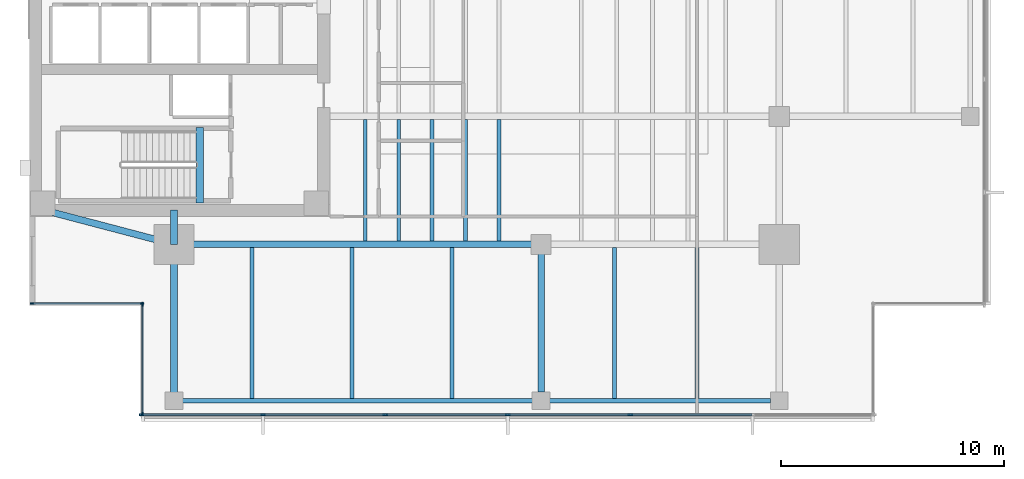
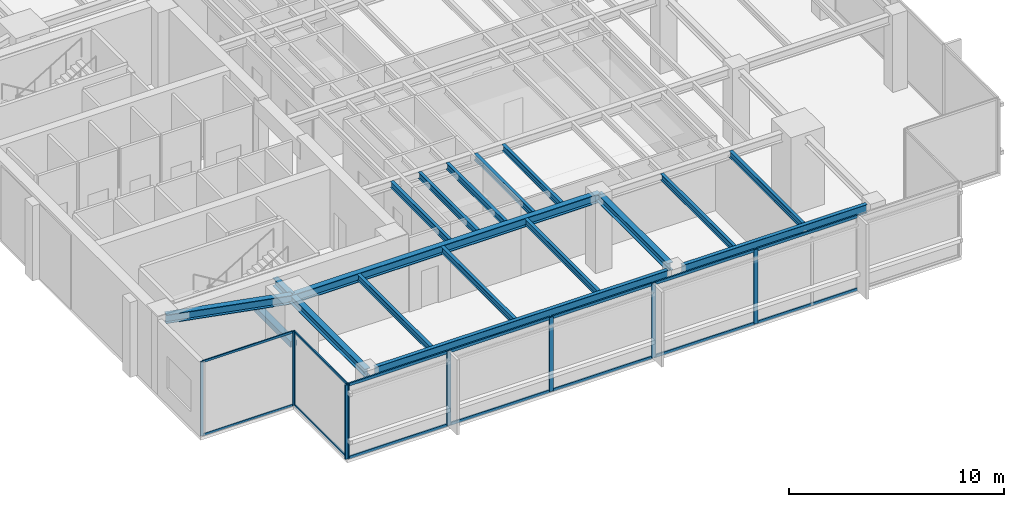
# One storey, part 2 of 14: 23 members, 18 beams, 3 elements without a shape of their own.
"""IFC4 building model written with IfcOpenShell, lengths in metres."""

from ifc_helpers import new_model, si_unit, direction, frame, origin, origin_2d, place, context, subcontext, project, spatial, rectangle, i_section, extrude, material, layer, layer_set, material_profile, profile_set, type_object, element, aggregate, save


model = new_model("IFC4")

# Units and contexts
model_context = context("Model", 3, precision=1e-05, world=origin(), true_north=direction((0.0, 1.0)))
body_context = subcontext(model_context, "Body", "Model", "MODEL_VIEW")
ifc_project = project(units=[si_unit("LENGTHUNIT", "METRE"), si_unit("AREAUNIT", "SQUARE_METRE"), si_unit("VOLUMEUNIT", "CUBIC_METRE"), si_unit("PLANEANGLEUNIT", "RADIAN"), si_unit("MASSUNIT", "GRAM", prefix="KILO")], contexts=[model_context])

# Site, building, storey
site_placement = place(None, origin())
site = spatial("IfcSite", under=ifc_project, at=site_placement, CompositionType="ELEMENT")
building_placement = place(site_placement, origin())
building = spatial("IfcBuilding", under=site, at=building_placement, Name="Kinhvarn Gate Tower", CompositionType="ELEMENT")
storey_placement = place(building_placement, frame((0.0, 0.0, 183.64990234375)))
storey = spatial("IfcBuildingStorey", under=building, at=storey_placement, Name="L48", CompositionType="ELEMENT", Elevation=183.64990234375)

# Beam
ifc_material_1 = material(Name="Concrete C50/60", Category="concrete")
ifc_material_profile_1 = material_profile(ifc_material_1, rectangle(XDim=0.340087890625, YDim=0.320068359375, at=origin_2d()), Name="RC 340x320")
ifc_profile_set_1 = profile_set([ifc_material_profile_1], Name="Concrete C50/60")
beam_type_1 = type_object("IfcBeamType", Name="BM-LND-500", PredefinedType="BEAM", material=ifc_profile_set_1)
beam_1_placement = place(storey_placement, frame((12.1650390625, 14.60009765625, -0.159912109375), z_axis=(0.0, 1.0, 0.0), x_axis=(-1.0, 0.0, 0.0)))
element("IfcBeam", 1, at=beam_1_placement, inside=storey, type_object=beam_type_1, Name="Stair ST1 Landing Nosing Beam (L48)", PredefinedType="BEAM", context=body_context, shape_type="SweptSolid", body=[
    extrude(rectangle(XDim=0.340087890625, YDim=0.320068359375, at=origin_2d()), origin(), (0.0, 0.0, 1.0), 3.39990234375),
])

# Curtain wall, members
ifc_material_2 = material(Name="Anodised aluminium AW-6063", Category="aluminium")
ifc_layer_1 = layer(ifc_material_2, 0.179931640625)
ifc_layer_set_1 = layer_set([ifc_layer_1], Name="Anodised aluminium AW-6063")
curtain_wall_type_1 = type_object("IfcCurtainWallType", Name="CW-SYS-4", PredefinedType="NOTDEFINED", material=ifc_layer_set_1)
curtain_wall_1_placement = place(storey_placement, origin())
curtain_wall_1 = element("IfcCurtainWall", 2, at=curtain_wall_1_placement, inside=storey, type_object=curtain_wall_type_1, Name="Curtain Wall CW4 (L48)", PredefinedType="NOTDEFINED")
ifc_material_profile_2 = material_profile(ifc_material_2, rectangle(XDim=0.06494140625, YDim=0.159912109375, at=origin_2d()), Name="ALU 65x160")
ifc_profile_set_2 = profile_set([ifc_material_profile_2], Name="Anodised aluminium AW-6063")
member_type_1 = type_object("IfcMemberType", Name="CW-MUL-160", PredefinedType="MULLION", material=ifc_profile_set_2)
member_1_placement = place(storey_placement, frame((4.62255859375, 10.090087890625, 0.0), z_axis=(0.0, 0.0, 1.0), x_axis=(0.0, 1.0, 0.0)))
member_1 = element("IfcMember", 3, at=member_1_placement, type_object=member_type_1, Name="CW4 mullion 1", PredefinedType="MULLION", context=body_context, shape_type="SweptSolid", body=[
    extrude(rectangle(XDim=0.06494140625, YDim=0.159912109375, at=origin_2d()), origin(), (0.0, 0.0, 1.0), 4.22021484375),
])
member_2_placement = place(storey_placement, frame((9.5576171875, 10.090087890625, 0.0), z_axis=(0.0, 0.0, 1.0), x_axis=(0.0, 1.0, 0.0)))
member_2 = element("IfcMember", 4, at=member_2_placement, type_object=member_type_1, Name="CW4 mullion 2", PredefinedType="MULLION", context=body_context, shape_type="SweptSolid", body=[
    extrude(rectangle(XDim=0.06494140625, YDim=0.159912109375, at=origin_2d()), origin(), (0.0, 0.0, 1.0), 4.22021484375),
])

curtain_wall_2_placement = place(storey_placement, origin())
curtain_wall_2 = element("IfcCurtainWall", 5, at=curtain_wall_2_placement, inside=storey, type_object=curtain_wall_type_1, Name="Curtain Wall CW4 (L48)", PredefinedType="NOTDEFINED")
member_3_placement = place(storey_placement, frame((9.590087890625, 10.0576171875, 0.0), z_axis=(0.0, 0.0, 1.0), x_axis=(1.0, 0.0, 0.0)))
member_3 = element("IfcMember", 6, at=member_3_placement, type_object=member_type_1, Name="CW4 mullion 1", PredefinedType="MULLION", context=body_context, shape_type="SweptSolid", body=[
    extrude(rectangle(XDim=0.06494140625, YDim=0.159912109375, at=origin_2d()), origin(), (0.0, 0.0, 1.0), 4.22021484375),
])
member_4_placement = place(storey_placement, frame((9.590087890625, 5.12255859375, 0.0), z_axis=(0.0, 0.0, 1.0), x_axis=(1.0, 0.0, 0.0)))
member_4 = element("IfcMember", 7, at=member_4_placement, type_object=member_type_1, Name="CW4 mullion 2", PredefinedType="MULLION", context=body_context, shape_type="SweptSolid", body=[
    extrude(rectangle(XDim=0.06494140625, YDim=0.159912109375, at=origin_2d()), origin(), (0.0, 0.0, 1.0), 4.22021484375),
])

ifc_layer_2 = layer(ifc_material_2, 0.219970703125)
ifc_layer_set_2 = layer_set([ifc_layer_2], Name="Anodised aluminium AW-6063")
curtain_wall_type_2 = type_object("IfcCurtainWallType", Name="CW-SYS-5", PredefinedType="NOTDEFINED", material=ifc_layer_set_2)
curtain_wall_3_placement = place(storey_placement, origin())
curtain_wall_3 = element("IfcCurtainWall", 8, at=curtain_wall_3_placement, inside=storey, type_object=curtain_wall_type_2, Name="Curtain Wall CW5 (L48)", PredefinedType="NOTDEFINED")
ifc_material_profile_3 = material_profile(ifc_material_2, rectangle(XDim=0.080078125, YDim=0.219970703125, at=origin_2d()), Name="ALU 80x220")
ifc_profile_set_3 = profile_set([ifc_material_profile_3], Name="Anodised aluminium AW-6063")
member_type_2 = type_object("IfcMemberType", Name="CW-MUL-220", PredefinedType="MULLION", material=ifc_profile_set_3)
member_5_placement = place(storey_placement, frame((9.5400390625, 5.090087890625, 0.0), z_axis=(0.0, 0.0, 1.0), x_axis=(0.0, 1.0, 0.0)))
member_5 = element("IfcMember", 9, at=member_5_placement, type_object=member_type_2, Name="CW5 mullion 1", PredefinedType="MULLION", context=body_context, shape_type="SweptSolid", body=[
    extrude(rectangle(XDim=0.080078125, YDim=0.219970703125, at=origin_2d()), origin(), (0.0, 0.0, 1.0), 4.22021484375),
])
member_6_placement = place(storey_placement, frame((15.0, 5.090087890625, 0.0), z_axis=(0.0, 0.0, 1.0), x_axis=(0.0, 1.0, 0.0)))
member_6 = element("IfcMember", 10, at=member_6_placement, type_object=member_type_2, Name="CW5 mullion 2", PredefinedType="MULLION", context=body_context, shape_type="SweptSolid", body=[
    extrude(rectangle(XDim=0.080078125, YDim=0.219970703125, at=origin_2d()), origin(), (0.0, 0.0, 1.0), 4.22021484375),
])
member_7_placement = place(storey_placement, frame((20.5, 5.090087890625, 0.0), z_axis=(0.0, 0.0, 1.0), x_axis=(0.0, 1.0, 0.0)))
member_7 = element("IfcMember", 11, at=member_7_placement, type_object=member_type_2, Name="CW5 mullion 3", PredefinedType="MULLION", context=body_context, shape_type="SweptSolid", body=[
    extrude(rectangle(XDim=0.080078125, YDim=0.219970703125, at=origin_2d()), origin(), (0.0, 0.0, 1.0), 4.22021484375),
])
member_8_placement = place(storey_placement, frame((26.0, 5.090087890625, 0.0), z_axis=(0.0, 0.0, 1.0), x_axis=(0.0, 1.0, 0.0)))
member_8 = element("IfcMember", 12, at=member_8_placement, type_object=member_type_2, Name="CW5 mullion 4", PredefinedType="MULLION", context=body_context, shape_type="SweptSolid", body=[
    extrude(rectangle(XDim=0.080078125, YDim=0.219970703125, at=origin_2d()), origin(), (0.0, 0.0, 1.0), 4.22021484375),
])
member_9_placement = place(storey_placement, frame((31.5, 5.090087890625, 0.0), z_axis=(0.0, 0.0, 1.0), x_axis=(0.0, 1.0, 0.0)))
member_9 = element("IfcMember", 13, at=member_9_placement, type_object=member_type_2, Name="CW5 mullion 5", PredefinedType="MULLION", context=body_context, shape_type="SweptSolid", body=[
    extrude(rectangle(XDim=0.080078125, YDim=0.219970703125, at=origin_2d()), origin(), (0.0, 0.0, 1.0), 4.22021484375),
])

# Member
ifc_material_profile_4 = material_profile(ifc_material_2, rectangle(XDim=0.06494140625, YDim=0.1201171875, at=origin_2d()), Name="ALU 65x120")
ifc_profile_set_4 = profile_set([ifc_material_profile_4], Name="Anodised aluminium AW-6063")
member_type_3 = type_object("IfcMemberType", Name="CW-TRN-120", PredefinedType="USERDEFINED", material=ifc_profile_set_4)
member_10_placement = place(storey_placement, frame((4.655029296875, 10.090087890625, 0.03271484375), z_axis=(1.0, 0.0, 0.0), x_axis=(0.0, 1.0, 0.0)))
member_10 = element("IfcMember", 14, at=member_10_placement, type_object=member_type_3, Name="CW4 transom 1.1", ObjectType="TRANSOM", PredefinedType="USERDEFINED", context=body_context, shape_type="SweptSolid", body=[
    extrude(rectangle(XDim=0.06494140625, YDim=0.1201171875, at=origin_2d()), origin(), (0.0, 0.0, 1.0), 4.869873046875),
])

member_11_placement = place(storey_placement, frame((4.655029296875, 10.090087890625, 4.1875), z_axis=(1.0, 0.0, 0.0), x_axis=(0.0, 1.0, 0.0)))
member_11 = element("IfcMember", 15, at=member_11_placement, type_object=member_type_3, Name="CW4 transom 1.2", ObjectType="TRANSOM", PredefinedType="USERDEFINED", context=body_context, shape_type="SweptSolid", body=[
    extrude(rectangle(XDim=0.06494140625, YDim=0.1201171875, at=origin_2d()), origin(), (0.0, 0.0, 1.0), 4.869873046875),
])

aggregate(curtain_wall_1, [member_1, member_2, member_10, member_11])

member_12_placement = place(storey_placement, frame((9.590087890625, 10.02490234375, 0.03271484375), z_axis=(0.0, -1.0, 0.0), x_axis=(1.0, 0.0, 0.0)))
member_12 = element("IfcMember", 16, at=member_12_placement, type_object=member_type_3, Name="CW4 transom 1.1", ObjectType="TRANSOM", PredefinedType="USERDEFINED", context=body_context, shape_type="SweptSolid", body=[
    extrude(rectangle(XDim=0.06494140625, YDim=0.1201171875, at=origin_2d()), origin(), (0.0, 0.0, 1.0), 4.869873046875),
])

member_13_placement = place(storey_placement, frame((9.590087890625, 10.02490234375, 4.1875), z_axis=(0.0, -1.0, 0.0), x_axis=(1.0, 0.0, 0.0)))
member_13 = element("IfcMember", 17, at=member_13_placement, type_object=member_type_3, Name="CW4 transom 1.2", ObjectType="TRANSOM", PredefinedType="USERDEFINED", context=body_context, shape_type="SweptSolid", body=[
    extrude(rectangle(XDim=0.06494140625, YDim=0.1201171875, at=origin_2d()), origin(), (0.0, 0.0, 1.0), 4.869873046875),
])

aggregate(curtain_wall_2, [member_3, member_4, member_12, member_13])

ifc_material_profile_5 = material_profile(ifc_material_2, rectangle(XDim=0.080078125, YDim=0.159912109375, at=origin_2d()), Name="ALU 80x160")
ifc_profile_set_5 = profile_set([ifc_material_profile_5], Name="Anodised aluminium AW-6063")
member_type_4 = type_object("IfcMemberType", Name="CW-TRN-160", PredefinedType="USERDEFINED", material=ifc_profile_set_5)
member_14_placement = place(storey_placement, frame((9.580078125, 5.090087890625, 0.0400390625), z_axis=(1.0, 0.0, 0.0), x_axis=(0.0, 1.0, 0.0)))
member_14 = element("IfcMember", 18, at=member_14_placement, type_object=member_type_4, Name="CW5 transom 1.1", ObjectType="TRANSOM", PredefinedType="USERDEFINED", context=body_context, shape_type="SweptSolid", body=[
    extrude(rectangle(XDim=0.080078125, YDim=0.159912109375, at=origin_2d()), origin(), (0.0, 0.0, 1.0), 5.3798828125),
])

member_15_placement = place(storey_placement, frame((9.580078125, 5.090087890625, 4.18017578125), z_axis=(1.0, 0.0, 0.0), x_axis=(0.0, 1.0, 0.0)))
member_15 = element("IfcMember", 19, at=member_15_placement, type_object=member_type_4, Name="CW5 transom 1.2", ObjectType="TRANSOM", PredefinedType="USERDEFINED", context=body_context, shape_type="SweptSolid", body=[
    extrude(rectangle(XDim=0.080078125, YDim=0.159912109375, at=origin_2d()), origin(), (0.0, 0.0, 1.0), 5.3798828125),
])

member_16_placement = place(storey_placement, frame((15.0400390625, 5.090087890625, 0.0400390625), z_axis=(1.0, 0.0, 0.0), x_axis=(0.0, 1.0, 0.0)))
member_16 = element("IfcMember", 20, at=member_16_placement, type_object=member_type_4, Name="CW5 transom 2.1", ObjectType="TRANSOM", PredefinedType="USERDEFINED", context=body_context, shape_type="SweptSolid", body=[
    extrude(rectangle(XDim=0.080078125, YDim=0.159912109375, at=origin_2d()), origin(), (0.0, 0.0, 1.0), 5.419921875),
])

member_17_placement = place(storey_placement, frame((15.0400390625, 5.090087890625, 4.18017578125), z_axis=(1.0, 0.0, 0.0), x_axis=(0.0, 1.0, 0.0)))
member_17 = element("IfcMember", 21, at=member_17_placement, type_object=member_type_4, Name="CW5 transom 2.2", ObjectType="TRANSOM", PredefinedType="USERDEFINED", context=body_context, shape_type="SweptSolid", body=[
    extrude(rectangle(XDim=0.080078125, YDim=0.159912109375, at=origin_2d()), origin(), (0.0, 0.0, 1.0), 5.419921875),
])

member_18_placement = place(storey_placement, frame((20.5400390625, 5.090087890625, 0.0400390625), z_axis=(1.0, 0.0, 0.0), x_axis=(0.0, 1.0, 0.0)))
member_18 = element("IfcMember", 22, at=member_18_placement, type_object=member_type_4, Name="CW5 transom 3.1", ObjectType="TRANSOM", PredefinedType="USERDEFINED", context=body_context, shape_type="SweptSolid", body=[
    extrude(rectangle(XDim=0.080078125, YDim=0.159912109375, at=origin_2d()), origin(), (0.0, 0.0, 1.0), 5.419921875),
])

member_19_placement = place(storey_placement, frame((20.5400390625, 5.090087890625, 4.18017578125), z_axis=(1.0, 0.0, 0.0), x_axis=(0.0, 1.0, 0.0)))
member_19 = element("IfcMember", 23, at=member_19_placement, type_object=member_type_4, Name="CW5 transom 3.2", ObjectType="TRANSOM", PredefinedType="USERDEFINED", context=body_context, shape_type="SweptSolid", body=[
    extrude(rectangle(XDim=0.080078125, YDim=0.159912109375, at=origin_2d()), origin(), (0.0, 0.0, 1.0), 5.419921875),
])

member_20_placement = place(storey_placement, frame((26.0400390625, 5.090087890625, 0.0400390625), z_axis=(1.0, 0.0, 0.0), x_axis=(0.0, 1.0, 0.0)))
member_20 = element("IfcMember", 24, at=member_20_placement, type_object=member_type_4, Name="CW5 transom 4.1", ObjectType="TRANSOM", PredefinedType="USERDEFINED", context=body_context, shape_type="SweptSolid", body=[
    extrude(rectangle(XDim=0.080078125, YDim=0.159912109375, at=origin_2d()), origin(), (0.0, 0.0, 1.0), 5.419921875),
])

member_21_placement = place(storey_placement, frame((26.0400390625, 5.090087890625, 4.18017578125), z_axis=(1.0, 0.0, 0.0), x_axis=(0.0, 1.0, 0.0)))
member_21 = element("IfcMember", 25, at=member_21_placement, type_object=member_type_4, Name="CW5 transom 4.2", ObjectType="TRANSOM", PredefinedType="USERDEFINED", context=body_context, shape_type="SweptSolid", body=[
    extrude(rectangle(XDim=0.080078125, YDim=0.159912109375, at=origin_2d()), origin(), (0.0, 0.0, 1.0), 5.419921875),
])

member_22_placement = place(storey_placement, frame((31.5400390625, 5.090087890625, 0.0400390625), z_axis=(1.0, 0.0, 0.0), x_axis=(0.0, 1.0, 0.0)))
member_22 = element("IfcMember", 26, at=member_22_placement, type_object=member_type_4, Name="CW5 transom 5.1", ObjectType="TRANSOM", PredefinedType="USERDEFINED", context=body_context, shape_type="SweptSolid", body=[
    extrude(rectangle(XDim=0.080078125, YDim=0.159912109375, at=origin_2d()), origin(), (0.0, 0.0, 1.0), 5.419921875),
])

member_23_placement = place(storey_placement, frame((31.5400390625, 5.090087890625, 4.18017578125), z_axis=(1.0, 0.0, 0.0), x_axis=(0.0, 1.0, 0.0)))
member_23 = element("IfcMember", 27, at=member_23_placement, type_object=member_type_4, Name="CW5 transom 5.2", ObjectType="TRANSOM", PredefinedType="USERDEFINED", context=body_context, shape_type="SweptSolid", body=[
    extrude(rectangle(XDim=0.080078125, YDim=0.159912109375, at=origin_2d()), origin(), (0.0, 0.0, 1.0), 5.419921875),
])

aggregate(curtain_wall_3, [member_5, member_6, member_7, member_8, member_9, member_14, member_15, member_16, member_17, member_18, member_19, member_20, member_21, member_22, member_23])

# Beams
ifc_material_3 = material(Name="Steel S355", Category="steel")
ifc_material_profile_6 = material_profile(ifc_material_3, i_section(OverallWidth=0.300048828125, OverallDepth=0.449951171875, WebThickness=0.013916015625, FlangeThickness=0.02587890625, at=origin_2d()), Name="HEB 450")
ifc_profile_set_6 = profile_set([ifc_material_profile_6], Name="Steel S355")
beam_type_2 = type_object("IfcBeamType", Name="STL-HEB450", PredefinedType="BEAM", material=ifc_profile_set_6)
beam_2_placement = place(storey_placement, frame((11.0, 5.719970703125, 3.9951171875), z_axis=(0.0, 1.0, 0.0), x_axis=(-1.0, 0.0, 0.0)))
element("IfcBeam", 28, at=beam_2_placement, inside=storey, type_object=beam_type_2, Name="Floor Beam PG-13 (L48 MCW-S)", PredefinedType="BEAM", context=body_context, shape_type="SweptSolid", body=[
    extrude(i_section(OverallWidth=0.300048828125, OverallDepth=0.449951171875, WebThickness=0.013916015625, FlangeThickness=0.02587890625, at=origin_2d()), origin(), (0.0, 0.0, 1.0), 7.030029296875),
])
beam_3_placement = place(storey_placement, frame((11.0, 12.75, 3.9951171875), z_axis=(0.0, 1.0, 0.0), x_axis=(-1.0, 0.0, 0.0)))
element("IfcBeam", 29, at=beam_3_placement, inside=storey, type_object=beam_type_2, Name="Floor Beam PG-13 (L48 MCW-CS)", PredefinedType="BEAM", context=body_context, shape_type="SweptSolid", body=[
    extrude(i_section(OverallWidth=0.300048828125, OverallDepth=0.449951171875, WebThickness=0.013916015625, FlangeThickness=0.02587890625, at=origin_2d()), origin(), (0.0, 0.0, 1.0), 1.550048828125),
])
beam_4_placement = place(storey_placement, frame((27.5, 6.10498046875, 3.9951171875), z_axis=(0.0, 1.0, 0.0), x_axis=(-1.0, 0.0, 0.0)))
element("IfcBeam", 30, at=beam_4_placement, inside=storey, type_object=beam_type_2, Name="Floor Beam PG-13 (L48 SP27-S-TIE)", PredefinedType="BEAM", context=body_context, shape_type="SweptSolid", body=[
    extrude(i_section(OverallWidth=0.300048828125, OverallDepth=0.449951171875, WebThickness=0.013916015625, FlangeThickness=0.02587890625, at=origin_2d()), origin(), (0.0, 0.0, 1.0), 6.64501953125),
])
ifc_material_profile_7 = material_profile(ifc_material_3, i_section(OverallWidth=0.300048828125, OverallDepth=0.5, WebThickness=0.014404296875, FlangeThickness=0.028076171875, at=origin_2d()), Name="HEB 500")
ifc_profile_set_7 = profile_set([ifc_material_profile_7], Name="Steel S355")
beam_type_3 = type_object("IfcBeamType", Name="STL-HEB500", PredefinedType="BEAM", material=ifc_profile_set_7)
beam_5_placement = place(storey_placement, frame((11.0, 12.75, 3.97021484375), z_axis=(1.0, 0.0, 0.0), x_axis=(0.0, 1.0, 0.0)))
element("IfcBeam", 31, at=beam_5_placement, inside=storey, type_object=beam_type_3, Name="Floor Beam PG-14 (L48 MG-S1)", PredefinedType="BEAM", context=body_context, shape_type="SweptSolid", body=[
    extrude(i_section(OverallWidth=0.300048828125, OverallDepth=0.5, WebThickness=0.014404296875, FlangeThickness=0.028076171875, at=origin_2d()), origin(), (0.0, 0.0, 1.0), 16.5),
])
beam_6_placement = place(storey_placement, frame((5.10009765625, 14.300048828125, 3.97021484375), z_axis=(0.967177623957, -0.254101246979, 0.0), x_axis=(0.254101246979, 0.967177623957, 0.0)))
element("IfcBeam", 32, at=beam_6_placement, inside=storey, type_object=beam_type_3, Name="Floor Beam PG-14 (L48 MG-SW-DIAG)", PredefinedType="BEAM", context=body_context, shape_type="SweptSolid", body=[
    extrude(i_section(OverallWidth=0.300048828125, OverallDepth=0.5, WebThickness=0.014404296875, FlangeThickness=0.028076171875, at=origin_2d()), origin(), (0.0, 0.0, 1.0), 6.10009765625),
])
ifc_material_profile_8 = material_profile(ifc_material_3, i_section(OverallWidth=0.169921875, OverallDepth=0.360107421875, WebThickness=0.008056640625, FlangeThickness=0.0126953125, at=origin_2d()), Name="IPE 360")
ifc_profile_set_8 = profile_set([ifc_material_profile_8], Name="Steel S355")
beam_type_4 = type_object("IfcBeamType", Name="STL-IPE360", PredefinedType="JOIST", material=ifc_profile_set_8)
for number, where, z_axis, x_axis, name in (
    (33, (19.60009765625, 12.89990234375, 4.0400390625), (0.0, 1.0, 0.0), (-1.0, 0.0, 0.0), "Floor Joist SB-04 (L48 JC-X196-0)"),
    (34, (21.10009765625, 12.89990234375, 4.0400390625), (0.0, 1.0, 0.0), (-1.0, 0.0, 0.0), "Floor Joist SB-04 (L48 JC-X211-0)"),
    (35, (22.60009765625, 12.89990234375, 4.0400390625), (0.0, 1.0, 0.0), (-1.0, 0.0, 0.0), "Floor Joist SB-04 (L48 JC-X226-0)"),
    (36, (24.10009765625, 12.89990234375, 4.0400390625), (0.0, 1.0, 0.0), (-1.0, 0.0, 0.0), "Floor Joist SB-04 (L48 JC-X241-0)"),
    (37, (25.60009765625, 12.89990234375, 4.0400390625), (0.0, 1.0, 0.0), (-1.0, 0.0, 0.0), "Floor Joist SB-04 (L48 JC-X256-0)"),
):
    element("IfcBeam", number, at=place(storey_placement, frame(where, z_axis=z_axis, x_axis=x_axis)), inside=storey, type_object=beam_type_4, Name=name, PredefinedType="JOIST", context=body_context, shape_type="SweptSolid", body=[
        extrude(i_section(OverallWidth=0.169921875, OverallDepth=0.360107421875, WebThickness=0.008056640625, FlangeThickness=0.0126953125, at=origin_2d()), origin(), (0.0, 0.0, 1.0), 5.4501953125),
    ])
for number, where, z_axis, x_axis, name in (
    (38, (14.5, 5.820068359375, 4.0400390625), (0.0, 1.0, 0.0), (-1.0, 0.0, 0.0), "Floor Joist SB-04 (L48 JS-X145)"),
    (39, (19.0, 5.820068359375, 4.0400390625), (0.0, 1.0, 0.0), (-1.0, 0.0, 0.0), "Floor Joist SB-04 (L48 JS-X190)"),
    (40, (23.5, 5.820068359375, 4.0400390625), (0.0, 1.0, 0.0), (-1.0, 0.0, 0.0), "Floor Joist SB-04 (L48 JS-X235)"),
    (41, (30.800048828125, 5.820068359375, 4.0400390625), (0.0, 1.0, 0.0), (-1.0, 0.0, 0.0), "Floor Joist SB-04 (L48 JS-X308)"),
    (42, (34.5, 5.820068359375, 4.0400390625), (0.0, 1.0, 0.0), (-1.0, 0.0, 0.0), "Floor Joist SB-04 (L48 JS-X345)"),
):
    element("IfcBeam", number, at=place(storey_placement, frame(where, z_axis=z_axis, x_axis=x_axis)), inside=storey, type_object=beam_type_4, Name=name, PredefinedType="JOIST", context=body_context, shape_type="SweptSolid", body=[
        extrude(i_section(OverallWidth=0.169921875, OverallDepth=0.360107421875, WebThickness=0.008056640625, FlangeThickness=0.0126953125, at=origin_2d()), origin(), (0.0, 0.0, 1.0), 6.780029296875),
    ])
ifc_material_profile_9 = material_profile(ifc_material_3, i_section(OverallWidth=0.199951171875, OverallDepth=0.5, WebThickness=0.01025390625, FlangeThickness=0.01611328125, at=origin_2d()), Name="IPE 500")
ifc_profile_set_9 = profile_set([ifc_material_profile_9], Name="Steel S355")
beam_type_5 = type_object("IfcBeamType", Name="STL-IPE500", PredefinedType="SPANDREL", material=ifc_profile_set_9)
beam_7_placement = place(storey_placement, frame((11.385009765625, 5.719970703125, 3.97021484375), z_axis=(1.0, 0.0, 0.0), x_axis=(0.0, 1.0, 0.0)))
element("IfcBeam", 43, at=beam_7_placement, inside=storey, type_object=beam_type_5, Name="Floor Spandrel SB-07 (L48 SP-S1)", PredefinedType="SPANDREL", context=body_context, shape_type="SweptSolid", body=[
    extrude(i_section(OverallWidth=0.199951171875, OverallDepth=0.5, WebThickness=0.01025390625, FlangeThickness=0.01611328125, at=origin_2d()), origin(), (0.0, 0.0, 1.0), 15.72998046875),
])
beam_8_placement = place(storey_placement, frame((27.885009765625, 5.719970703125, 3.97021484375), z_axis=(1.0, 0.0, 0.0), x_axis=(0.0, 1.0, 0.0)))
element("IfcBeam", 44, at=beam_8_placement, inside=storey, type_object=beam_type_5, Name="Floor Spandrel SB-07 (L48 SP-S2)", PredefinedType="SPANDREL", context=body_context, shape_type="SweptSolid", body=[
    extrude(i_section(OverallWidth=0.199951171875, OverallDepth=0.5, WebThickness=0.01025390625, FlangeThickness=0.01611328125, at=origin_2d()), origin(), (0.0, 0.0, 1.0), 9.929931640625),
])

save(model, "model.ifc")
